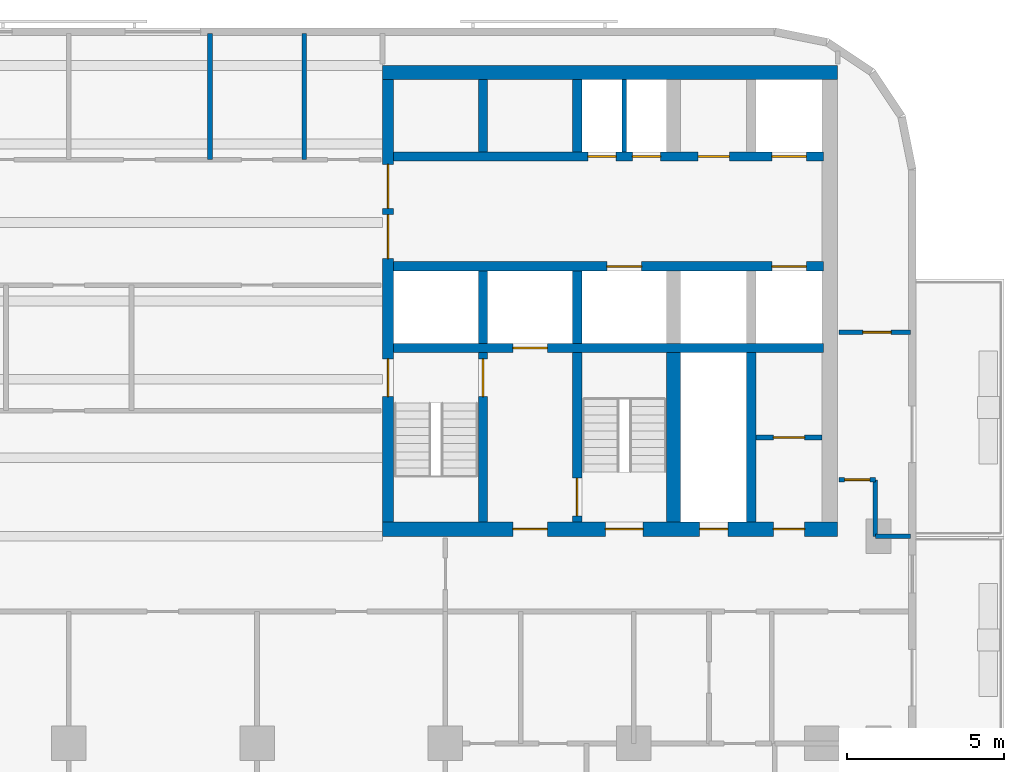
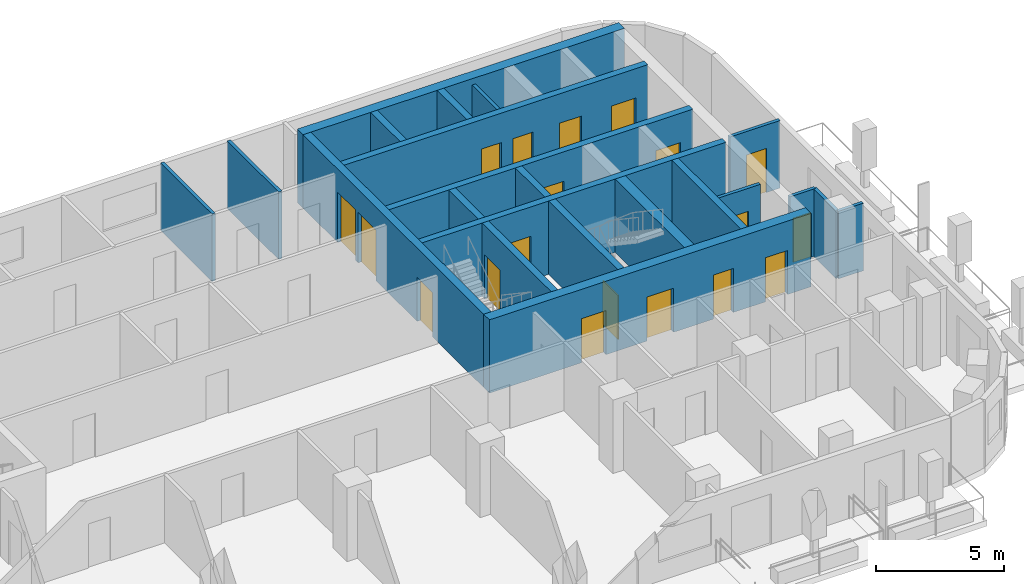
# One storey, part 6 of 11: 22 walls, 19 doors, 19 openings.
"""IFC4 building model written with IfcOpenShell, lengths in metres."""

from ifc_helpers import new_model, si_unit, direction, frame, frame_2d, origin, place, context, subcontext, project, spatial, rectangle, extrude, material, layer, layer_set, type_object, element, fill, save


model = new_model("IFC4")

# Units and contexts
model_context = context("Model", 3, precision=1e-05, world=origin(), true_north=direction((0.0, 1.0)))
body_context = subcontext(model_context, "Body", "Model", "MODEL_VIEW")
ifc_project = project(units=[si_unit("LENGTHUNIT", "METRE"), si_unit("AREAUNIT", "SQUARE_METRE"), si_unit("VOLUMEUNIT", "CUBIC_METRE"), si_unit("PLANEANGLEUNIT", "RADIAN"), si_unit("MASSUNIT", "GRAM", prefix="KILO")], contexts=[model_context])

# Site, building, storey
site_placement = place(None, origin())
site = spatial("IfcSite", under=ifc_project, at=site_placement, CompositionType="ELEMENT")
building_placement = place(site_placement, origin())
building = spatial("IfcBuilding", under=site, at=building_placement, Name="Torana Hotel and Residences", CompositionType="ELEMENT")
storey_placement = place(building_placement, frame((0.0, 0.0, 243.10009765625)))
storey = spatial("IfcBuildingStorey", under=building, at=storey_placement, Name="L64", CompositionType="ELEMENT", Elevation=243.10009765625)

# Wall, openings, doors
ifc_material_1 = material(Name="Concrete C70/85", Category="concrete")
ifc_layer_1 = layer(ifc_material_1, 0.300048828125)
ifc_layer_set_1 = layer_set([ifc_layer_1], Name="CORE WALL 300 C70/85")
wall_type_1 = type_object("IfcWallType", Name="CORE WALL 300 C70/85", PredefinedType="SHEAR", material=ifc_layer_set_1)
wall_1_placement = place(storey_placement, frame((10.35009765625, -2.89990234375, 0.0), z_axis=(0.0, 0.0, 1.0), x_axis=(1.0, 0.0, 0.0)))
wall_1 = element("IfcWall", 1, at=wall_1_placement, inside=storey, type_object=wall_type_1, Name="Core wall E row-N", PredefinedType="SHEAR", context=body_context, shape_type="SweptSolid", body=[
    extrude(rectangle(XDim=13.699951171875, YDim=0.300048828125, at=frame_2d((6.85009765625, 0.0))), origin(), (0.0, 0.0, 1.0), 3.5),
])
opening_1_placement = place(wall_1_placement, frame((12.050048828125, 0.0, 0.0)))
opening_1 = element("IfcOpeningElement", 2, at=opening_1_placement, cuts=wall_1, Name="Opening LD", PredefinedType="OPENING", context=body_context, shape_type="SweptSolid", body=[
    extrude(rectangle(XDim=1.10009765625, YDim=2.10009765625, at=frame_2d((0.550048828125, 1.050048828125))), frame((0.0, 0.159912109375, 0.0), z_axis=(0.0, -1.0, 0.0), x_axis=(1.0, 0.0, 0.0)), (0.0, 0.0, 1.0), 0.320068359375),
])
opening_2_placement = place(wall_1_placement, frame((6.1875, 0.0, 0.0)))
opening_2 = element("IfcOpeningElement", 3, at=opening_2_placement, cuts=wall_1, Name="Opening L64-20", PredefinedType="OPENING", context=body_context, shape_type="SweptSolid", body=[
    extrude(rectangle(XDim=0.89990234375, YDim=2.10009765625, at=frame_2d((0.449951171875, 1.050048828125))), frame((0.0, 0.159912109375, 0.0), z_axis=(0.0, -1.0, 0.0), x_axis=(1.0, 0.0, 0.0)), (0.0, 0.0, 1.0), 0.320068359375),
])
opening_3_placement = place(wall_1_placement, frame((7.612548828125, 0.0, 0.0)))
opening_3 = element("IfcOpeningElement", 4, at=opening_3_placement, cuts=wall_1, Name="Opening L64-21", PredefinedType="OPENING", context=body_context, shape_type="SweptSolid", body=[
    extrude(rectangle(XDim=0.89990234375, YDim=2.10009765625, at=frame_2d((0.449951171875, 1.050048828125))), frame((0.0, 0.159912109375, 0.0), z_axis=(0.0, -1.0, 0.0), x_axis=(1.0, 0.0, 0.0)), (0.0, 0.0, 1.0), 0.320068359375),
])
opening_4_placement = place(wall_1_placement, frame((9.699951171875, 0.0, 0.0)))
opening_4 = element("IfcOpeningElement", 5, at=opening_4_placement, cuts=wall_1, Name="Opening L64-22", PredefinedType="OPENING", context=body_context, shape_type="SweptSolid", body=[
    extrude(rectangle(XDim=1.0, YDim=2.10009765625, at=frame_2d((0.5, 1.050048828125))), frame((0.0, 0.159912109375, 0.0), z_axis=(0.0, -1.0, 0.0), x_axis=(1.0, 0.0, 0.0)), (0.0, 0.0, 1.0), 0.320068359375),
])
ifc_material_2 = material(Name="Steel S235", Category="steel")
door_type_1 = type_object("IfcDoorType", Name="CORE ROOM FIRE DOOR D14 1000x2100", OperationType="SINGLE_SWING_LEFT", PredefinedType="DOOR", material=ifc_material_2)
door_1_placement = place(opening_4_placement, origin())
door_1 = element("IfcDoor", 6, at=door_1_placement, inside=storey, type_object=door_type_1, Name="Freed-S2 door L64", OperationType="SINGLE_SWING_RIGHT", OverallHeight=2.10009765625, OverallWidth=1.0, PredefinedType="DOOR", context=body_context, shape_type="SweptSolid", body=[
    extrude(rectangle(XDim=1.0, YDim=2.10009765625, at=frame_2d((0.5, 1.050048828125))), frame((0.0, 0.02490234375, 0.0), z_axis=(0.0, -1.0, 0.0), x_axis=(1.0, 0.0, 0.0)), (0.0, 0.0, 1.0), 0.050048828125),
])
fill(opening_4, door_1)
ifc_material_3 = material(Name="Stainless steel 316", Category="steel")
door_type_2 = type_object("IfcDoorType", Name="LIFT LANDING DOOR LD 1100x2100", OperationType="DOUBLE_DOOR_SLIDING", PredefinedType="USERDEFINED", material=ifc_material_3)
door_2_placement = place(opening_1_placement, origin())
door_2 = element("IfcDoor", 7, at=door_2_placement, inside=storey, type_object=door_type_2, Name="Lift landing door M3 L64", ObjectType="LIFT LANDING DOOR", OperationType="DOUBLE_DOOR_SLIDING", OverallHeight=2.10009765625, OverallWidth=1.10009765625, PredefinedType="USERDEFINED", context=body_context, shape_type="SweptSolid", body=[
    extrude(rectangle(XDim=1.10009765625, YDim=2.10009765625, at=frame_2d((0.550048828125, 1.050048828125))), frame((0.0, 0.02490234375, 0.0), z_axis=(0.0, -1.0, 0.0), x_axis=(1.0, 0.0, 0.0)), (0.0, 0.0, 1.0), 0.050048828125),
])
fill(opening_1, door_2)
ifc_material_4 = material(Name="Steel S235", Category="steel")
door_type_3 = type_object("IfcDoorType", Name="RISER ACCESS DOOR D5 900x2100", OperationType="SINGLE_SWING_LEFT", PredefinedType="DOOR", material=ifc_material_4)
door_3_placement = place(opening_2_placement, origin())
door_3 = element("IfcDoor", 8, at=door_3_placement, inside=storey, type_object=door_type_3, Name="N2A door L64", OperationType="SINGLE_SWING_RIGHT", OverallHeight=2.10009765625, OverallWidth=0.89990234375, PredefinedType="DOOR", context=body_context, shape_type="SweptSolid", body=[
    extrude(rectangle(XDim=0.89990234375, YDim=2.10009765625, at=frame_2d((0.449951171875, 1.050048828125))), frame((0.0, 0.02490234375, 0.0), z_axis=(0.0, -1.0, 0.0), x_axis=(1.0, 0.0, 0.0)), (0.0, 0.0, 1.0), 0.050048828125),
])
fill(opening_2, door_3)
door_4_placement = place(opening_3_placement, origin())
door_4 = element("IfcDoor", 9, at=door_4_placement, inside=storey, type_object=door_type_3, Name="N2B door L64", OperationType="SINGLE_SWING_RIGHT", OverallHeight=2.10009765625, OverallWidth=0.89990234375, PredefinedType="DOOR", context=body_context, shape_type="SweptSolid", body=[
    extrude(rectangle(XDim=0.89990234375, YDim=2.10009765625, at=frame_2d((0.449951171875, 1.050048828125))), frame((0.0, 0.02490234375, 0.0), z_axis=(0.0, -1.0, 0.0), x_axis=(1.0, 0.0, 0.0)), (0.0, 0.0, 1.0), 0.050048828125),
])
fill(opening_3, door_4)

wall_2_placement = place(storey_placement, frame((10.35009765625, -6.39990234375, 0.0), z_axis=(0.0, 0.0, 1.0), x_axis=(1.0, 0.0, 0.0)))
wall_2 = element("IfcWall", 10, at=wall_2_placement, inside=storey, type_object=wall_type_1, Name="Core wall E row-S", PredefinedType="SHEAR", context=body_context, shape_type="SweptSolid", body=[
    extrude(rectangle(XDim=13.699951171875, YDim=0.300048828125, at=frame_2d((6.85009765625, 0.0))), origin(), (0.0, 0.0, 1.0), 3.5),
])
opening_5_placement = place(wall_2_placement, frame((12.050048828125, 0.0, 0.0)))
opening_5 = element("IfcOpeningElement", 11, at=opening_5_placement, cuts=wall_2, Name="Opening LD", PredefinedType="OPENING", context=body_context, shape_type="SweptSolid", body=[
    extrude(rectangle(XDim=1.10009765625, YDim=2.10009765625, at=frame_2d((0.550048828125, 1.050048828125))), frame((0.0, 0.159912109375, 0.0), z_axis=(0.0, -1.0, 0.0), x_axis=(1.0, 0.0, 0.0)), (0.0, 0.0, 1.0), 0.320068359375),
])
opening_6_placement = place(wall_2_placement, frame((6.800048828125, 0.0, 0.0)))
opening_6 = element("IfcOpeningElement", 12, at=opening_6_placement, cuts=wall_2, Name="Opening LD", PredefinedType="OPENING", context=body_context, shape_type="SweptSolid", body=[
    extrude(rectangle(XDim=1.10009765625, YDim=2.10009765625, at=frame_2d((0.550048828125, 1.050048828125))), frame((0.0, 0.159912109375, 0.0), z_axis=(0.0, -1.0, 0.0), x_axis=(1.0, 0.0, 0.0)), (0.0, 0.0, 1.0), 0.320068359375),
])
door_5_placement = place(opening_5_placement, origin())
door_5 = element("IfcDoor", 13, at=door_5_placement, inside=storey, type_object=door_type_2, Name="Lift landing door M4 L64", ObjectType="LIFT LANDING DOOR", OperationType="DOUBLE_DOOR_SLIDING", OverallHeight=2.10009765625, OverallWidth=1.10009765625, PredefinedType="USERDEFINED", context=body_context, shape_type="SweptSolid", body=[
    extrude(rectangle(XDim=1.10009765625, YDim=2.10009765625, at=frame_2d((0.550048828125, 1.050048828125))), frame((0.0, 0.02490234375, 0.0), z_axis=(0.0, -1.0, 0.0), x_axis=(1.0, 0.0, 0.0)), (0.0, 0.0, 1.0), 0.050048828125),
])
fill(opening_5, door_5)
door_6_placement = place(opening_6_placement, origin())
door_6 = element("IfcDoor", 14, at=door_6_placement, inside=storey, type_object=door_type_2, Name="Lift landing door SV2 L64", ObjectType="LIFT LANDING DOOR", OperationType="DOUBLE_DOOR_SLIDING", OverallHeight=2.10009765625, OverallWidth=1.10009765625, PredefinedType="USERDEFINED", context=body_context, shape_type="SweptSolid", body=[
    extrude(rectangle(XDim=1.10009765625, YDim=2.10009765625, at=frame_2d((0.550048828125, 1.050048828125))), frame((0.0, 0.02490234375, 0.0), z_axis=(0.0, -1.0, 0.0), x_axis=(1.0, 0.0, 0.0)), (0.0, 0.0, 1.0), 0.050048828125),
])
fill(opening_6, door_6)

# Wall, opening, door
wall_3_placement = place(storey_placement, frame((10.35009765625, -9.0, 0.0), z_axis=(0.0, 0.0, 1.0), x_axis=(1.0, 0.0, 0.0)))
wall_3 = element("IfcWall", 15, at=wall_3_placement, inside=storey, type_object=wall_type_1, Name="Core wall E band", PredefinedType="SHEAR", context=body_context, shape_type="SweptSolid", body=[
    extrude(rectangle(XDim=13.699951171875, YDim=0.300048828125, at=frame_2d((6.85009765625, 0.0))), origin(), (0.0, 0.0, 1.0), 3.5),
])
opening_7_placement = place(wall_3_placement, frame((3.800048828125, 0.0, 0.0)))
opening_7 = element("IfcOpeningElement", 16, at=opening_7_placement, cuts=wall_3, Name="Opening LD", PredefinedType="OPENING", context=body_context, shape_type="SweptSolid", body=[
    extrude(rectangle(XDim=1.10009765625, YDim=2.10009765625, at=frame_2d((0.550048828125, 1.050048828125))), frame((0.0, 0.159912109375, 0.0), z_axis=(0.0, -1.0, 0.0), x_axis=(1.0, 0.0, 0.0)), (0.0, 0.0, 1.0), 0.320068359375),
])
door_7_placement = place(opening_7_placement, origin())
door_7 = element("IfcDoor", 17, at=door_7_placement, inside=storey, type_object=door_type_2, Name="Lift landing door FF2 L64", ObjectType="LIFT LANDING DOOR", OperationType="DOUBLE_DOOR_SLIDING", OverallHeight=2.10009765625, OverallWidth=1.10009765625, PredefinedType="USERDEFINED", context=body_context, shape_type="SweptSolid", body=[
    extrude(rectangle(XDim=1.10009765625, YDim=2.10009765625, at=frame_2d((0.550048828125, 1.050048828125))), frame((0.0, 0.02490234375, 0.0), z_axis=(0.0, -1.0, 0.0), x_axis=(1.0, 0.0, 0.0)), (0.0, 0.0, 1.0), 0.050048828125),
])
fill(opening_7, door_7)

# Walls
for number, where, z_axis, x_axis, name in (
    (18, (13.199951171875, -2.75, 0.0), (0.0, 0.0, 1.0), (0.0, 1.0, 0.0), "Core wall E x3.05-N"),
    (19, (13.199951171875, -8.85009765625, 0.0), (0.0, 0.0, 1.0), (0.0, 1.0, 0.0), "Core wall E x3.05-S"),
):
    element("IfcWall", number, at=place(storey_placement, frame(where, z_axis=z_axis, x_axis=x_axis)), inside=storey, type_object=wall_type_1, Name=name, PredefinedType="SHEAR", context=body_context, shape_type="SweptSolid", body=[
        extrude(rectangle(XDim=2.300048828125, YDim=0.300048828125, at=frame_2d((1.14990234375, 0.0))), origin(), (0.0, 0.0, 1.0), 3.5),
    ])

# Wall, opening, door
wall_4_placement = place(storey_placement, frame((13.199951171875, -14.550048828125, 0.0), z_axis=(0.0, 0.0, 1.0), x_axis=(0.0, 1.0, 0.0)))
wall_4 = element("IfcWall", 20, at=wall_4_placement, inside=storey, type_object=wall_type_1, Name="Core wall E x3.05-band", PredefinedType="SHEAR", context=body_context, shape_type="SweptSolid", body=[
    extrude(rectangle(XDim=5.400146484375, YDim=0.300048828125, at=frame_2d((2.7001953125, 0.0))), origin(), (0.0, 0.0, 1.0), 3.5),
])
opening_8_placement = place(wall_4_placement, frame((4.0, 0.0, 0.0)))
opening_8 = element("IfcOpeningElement", 21, at=opening_8_placement, cuts=wall_4, Name="Opening L64-23", PredefinedType="OPENING", context=body_context, shape_type="SweptSolid", body=[
    extrude(rectangle(XDim=1.199951171875, YDim=2.10009765625, at=frame_2d((0.60009765625, 1.050048828125))), frame((0.0, 0.159912109375, 0.0), z_axis=(0.0, -1.0, 0.0), x_axis=(1.0, 0.0, 0.0)), (0.0, 0.0, 1.0), 0.320068359375),
])
ifc_material_5 = material(Name="Steel S235", Category="steel")
door_type_4 = type_object("IfcDoorType", Name="STAIR FIRE DOOR D3 1200x2100", OperationType="SINGLE_SWING_LEFT", PredefinedType="DOOR", material=ifc_material_5)
door_8_placement = place(opening_8_placement, origin())
door_8 = element("IfcDoor", 22, at=door_8_placement, inside=storey, type_object=door_type_4, Name="Stair-A-lobby door L64", OperationType="SINGLE_SWING_LEFT", OverallHeight=2.10009765625, OverallWidth=1.199951171875, PredefinedType="DOOR", context=body_context, shape_type="SweptSolid", body=[
    extrude(rectangle(XDim=1.199951171875, YDim=2.10009765625, at=frame_2d((0.60009765625, 1.050048828125))), frame((0.0, 0.02490234375, 0.0), z_axis=(0.0, -1.0, 0.0), x_axis=(1.0, 0.0, 0.0)), (0.0, 0.0, 1.0), 0.050048828125),
])
fill(opening_8, door_8)

# Walls
for number, where, z_axis, x_axis, name in (
    (23, (16.199951171875, -2.75, 0.0), (0.0, 0.0, 1.0), (0.0, 1.0, 0.0), "Core wall E x6.05-N"),
    (24, (16.199951171875, -8.85009765625, 0.0), (0.0, 0.0, 1.0), (0.0, 1.0, 0.0), "Core wall E x6.05-S"),
):
    element("IfcWall", number, at=place(storey_placement, frame(where, z_axis=z_axis, x_axis=x_axis)), inside=storey, type_object=wall_type_1, Name=name, PredefinedType="SHEAR", context=body_context, shape_type="SweptSolid", body=[
        extrude(rectangle(XDim=2.300048828125, YDim=0.300048828125, at=frame_2d((1.14990234375, 0.0))), origin(), (0.0, 0.0, 1.0), 3.5),
    ])

# Wall, opening, door
wall_5_placement = place(storey_placement, frame((16.199951171875, -14.550048828125, 0.0), z_axis=(0.0, 0.0, 1.0), x_axis=(0.0, 1.0, 0.0)))
wall_5 = element("IfcWall", 25, at=wall_5_placement, inside=storey, type_object=wall_type_1, Name="Core wall E x6.05-band", PredefinedType="SHEAR", context=body_context, shape_type="SweptSolid", body=[
    extrude(rectangle(XDim=5.400146484375, YDim=0.300048828125, at=frame_2d((2.7001953125, 0.0))), origin(), (0.0, 0.0, 1.0), 3.5),
])
opening_9_placement = place(wall_5_placement, frame((0.199951171875, 0.0, 0.0)))
opening_9 = element("IfcOpeningElement", 26, at=opening_9_placement, cuts=wall_5, Name="Opening L64-24", PredefinedType="OPENING", context=body_context, shape_type="SweptSolid", body=[
    extrude(rectangle(XDim=1.199951171875, YDim=2.10009765625, at=frame_2d((0.60009765625, 1.050048828125))), frame((0.0, 0.159912109375, 0.0), z_axis=(0.0, -1.0, 0.0), x_axis=(1.0, 0.0, 0.0)), (0.0, 0.0, 1.0), 0.320068359375),
])
door_9_placement = place(opening_9_placement, frame((0.60009765625, 0.0, 0.0), z_axis=(0.0, 0.0, 1.0), x_axis=(-1.0, 0.0, 0.0)))
door_9 = element("IfcDoor", 27, at=door_9_placement, inside=storey, type_object=door_type_4, Name="Stair-B-lobby door L64", OperationType="SINGLE_SWING_LEFT", OverallHeight=2.10009765625, OverallWidth=1.199951171875, PredefinedType="DOOR", context=body_context, shape_type="SweptSolid", body=[
    extrude(rectangle(XDim=1.199951171875, YDim=2.10009765625, at=frame_2d((0.0, 1.050048828125))), frame((0.0, -0.02490234375, 0.0), z_axis=(0.0, 1.0, 0.0), x_axis=(-1.0, 0.0, 0.0)), (0.0, 0.0, 1.0), 0.050048828125),
])
fill(opening_9, door_9)

# Wall
wall_6_placement = place(storey_placement, frame((21.75, -14.550048828125, 0.0), z_axis=(0.0, 0.0, 1.0), x_axis=(0.0, 1.0, 0.0)))
element("IfcWall", 28, at=wall_6_placement, inside=storey, type_object=wall_type_1, Name="Core wall E mm-band", PredefinedType="SHEAR", context=body_context, shape_type="SweptSolid", body=[
    extrude(rectangle(XDim=5.400146484375, YDim=0.300048828125, at=frame_2d((2.7001953125, 0.0))), origin(), (0.0, 0.0, 1.0), 3.5),
])

# Wall, openings, doors
ifc_material_6 = material(Name="Concrete C70/85", Category="concrete")
ifc_layer_2 = layer(ifc_material_6, 0.35009765625)
ifc_layer_set_2 = layer_set([ifc_layer_2], Name="CORE WALL 350 C70/85")
wall_type_2 = type_object("IfcWallType", Name="CORE WALL 350 C70/85", PredefinedType="SHEAR", material=ifc_layer_set_2)
wall_7_placement = place(storey_placement, frame((10.175048828125, -14.550048828125, 0.0), z_axis=(0.0, 0.0, 1.0), x_axis=(0.0, 1.0, 0.0)))
wall_7 = element("IfcWall", 29, at=wall_7_placement, inside=storey, type_object=wall_type_2, Name="Core wall E arch", PredefinedType="SHEAR", context=body_context, shape_type="SweptSolid", body=[
    extrude(rectangle(XDim=14.10009765625, YDim=0.35009765625, at=frame_2d((7.050048828125, 0.0))), origin(), (0.0, 0.0, 1.0), 3.5),
])
opening_10_placement = place(wall_7_placement, frame((8.39990234375, 0.0, 0.0)))
opening_10 = element("IfcOpeningElement", 30, at=opening_10_placement, cuts=wall_7, Name="Opening L64-13", PredefinedType="OPENING", context=body_context, shape_type="SweptSolid", body=[
    extrude(rectangle(XDim=1.39990234375, YDim=2.39990234375, at=frame_2d((0.699951171875, 1.199951171875))), frame((0.0, 0.18505859375, 0.0), z_axis=(0.0, -1.0, 0.0), x_axis=(1.0, 0.0, 0.0)), (0.0, 0.0, 1.0), 0.3701171875),
])
opening_11_placement = place(wall_7_placement, frame((10.0, 0.0, 0.0)))
opening_11 = element("IfcOpeningElement", 31, at=opening_11_placement, cuts=wall_7, Name="Opening L64-14", PredefinedType="OPENING", context=body_context, shape_type="SweptSolid", body=[
    extrude(rectangle(XDim=1.39990234375, YDim=2.39990234375, at=frame_2d((0.699951171875, 1.199951171875))), frame((0.0, 0.18505859375, 0.0), z_axis=(0.0, -1.0, 0.0), x_axis=(1.0, 0.0, 0.0)), (0.0, 0.0, 1.0), 0.3701171875),
])
opening_12_placement = place(wall_7_placement, frame((4.0, 0.0, 0.0)))
opening_12 = element("IfcOpeningElement", 32, at=opening_12_placement, cuts=wall_7, Name="Opening L64-15", PredefinedType="OPENING", context=body_context, shape_type="SweptSolid", body=[
    extrude(rectangle(XDim=1.199951171875, YDim=2.10009765625, at=frame_2d((0.60009765625, 1.050048828125))), frame((0.0, 0.18505859375, 0.0), z_axis=(0.0, -1.0, 0.0), x_axis=(1.0, 0.0, 0.0)), (0.0, 0.0, 1.0), 0.3701171875),
])
ifc_material_7 = material(Name="Steel S235", Category="steel")
door_type_5 = type_object("IfcDoorType", Name="LOBBY FIRE DOOR D4 1400x2400", OperationType="DOUBLE_DOOR_SINGLE_SWING", PredefinedType="DOOR", material=ifc_material_7)
door_10_placement = place(opening_10_placement, origin())
door_10 = element("IfcDoor", 33, at=door_10_placement, inside=storey, type_object=door_type_5, Name="Lobby-1 door L64", OperationType="DOUBLE_DOOR_SINGLE_SWING", OverallHeight=2.39990234375, OverallWidth=1.39990234375, PredefinedType="DOOR", context=body_context, shape_type="SweptSolid", body=[
    extrude(rectangle(XDim=1.39990234375, YDim=2.39990234375, at=frame_2d((0.699951171875, 1.199951171875))), frame((0.0, 0.02490234375, 0.0), z_axis=(0.0, -1.0, 0.0), x_axis=(1.0, 0.0, 0.0)), (0.0, 0.0, 1.0), 0.050048828125),
])
fill(opening_10, door_10)
door_11_placement = place(opening_11_placement, origin())
door_11 = element("IfcDoor", 34, at=door_11_placement, inside=storey, type_object=door_type_5, Name="Lobby-2 door L64", OperationType="DOUBLE_DOOR_SINGLE_SWING", OverallHeight=2.39990234375, OverallWidth=1.39990234375, PredefinedType="DOOR", context=body_context, shape_type="SweptSolid", body=[
    extrude(rectangle(XDim=1.39990234375, YDim=2.39990234375, at=frame_2d((0.699951171875, 1.199951171875))), frame((0.0, 0.02490234375, 0.0), z_axis=(0.0, -1.0, 0.0), x_axis=(1.0, 0.0, 0.0)), (0.0, 0.0, 1.0), 0.050048828125),
])
fill(opening_11, door_11)
door_12_placement = place(opening_12_placement, frame((0.60009765625, 0.0, 0.0), z_axis=(0.0, 0.0, 1.0), x_axis=(-1.0, 0.0, 0.0)))
door_12 = element("IfcDoor", 35, at=door_12_placement, inside=storey, type_object=door_type_4, Name="Stair-A door L64", OperationType="SINGLE_SWING_RIGHT", OverallHeight=2.10009765625, OverallWidth=1.199951171875, PredefinedType="DOOR", context=body_context, shape_type="SweptSolid", body=[
    extrude(rectangle(XDim=1.199951171875, YDim=2.10009765625, at=frame_2d((0.0, 1.050048828125))), frame((0.0, -0.02490234375, 0.0), z_axis=(0.0, 1.0, 0.0), x_axis=(-1.0, 0.0, 0.0)), (0.0, 0.0, 1.0), 0.050048828125),
])
fill(opening_12, door_12)

# Wall
ifc_material_8 = material(Name="Concrete C70/85", Category="concrete")
ifc_layer_3 = layer(ifc_material_8, 0.449951171875)
ifc_layer_set_3 = layer_set([ifc_layer_3], Name="CORE WALL 450 C70/85")
wall_type_3 = type_object("IfcWallType", Name="CORE WALL 450 C70/85", PredefinedType="SHEAR", material=ifc_layer_set_3)
wall_8_placement = place(storey_placement, frame((10.0, -0.22509765625, 0.0), z_axis=(0.0, 0.0, 1.0), x_axis=(1.0, 0.0, 0.0)))
element("IfcWall", 36, at=wall_8_placement, inside=storey, type_object=wall_type_3, Name="Core wall E rear", PredefinedType="SHEAR", context=body_context, shape_type="SweptSolid", body=[
    extrude(rectangle(XDim=14.5, YDim=0.449951171875, at=frame_2d((7.25, 0.0))), origin(), (0.0, 0.0, 1.0), 3.5),
])

# Wall, openings, doors
wall_9_placement = place(storey_placement, frame((10.0, -14.77490234375, 0.0), z_axis=(0.0, 0.0, 1.0), x_axis=(1.0, 0.0, 0.0)))
wall_9 = element("IfcWall", 37, at=wall_9_placement, inside=storey, type_object=wall_type_3, Name="Core wall E front", PredefinedType="SHEAR", context=body_context, shape_type="SweptSolid", body=[
    extrude(rectangle(XDim=14.5, YDim=0.449951171875, at=frame_2d((7.25, 0.0))), origin(), (0.0, 0.0, 1.0), 3.5),
])
opening_13_placement = place(wall_9_placement, frame((7.10009765625, 0.0, 0.0)))
opening_13 = element("IfcOpeningElement", 38, at=opening_13_placement, cuts=wall_9, Name="Opening L64-16", PredefinedType="OPENING", context=body_context, shape_type="SweptSolid", body=[
    extrude(rectangle(XDim=1.199951171875, YDim=2.10009765625, at=frame_2d((0.60009765625, 1.050048828125))), frame((0.0, 0.23486328125, 0.0), z_axis=(0.0, -1.0, 0.0), x_axis=(1.0, 0.0, 0.0)), (0.0, 0.0, 1.0), 0.469970703125),
])
opening_14_placement = place(wall_9_placement, frame((4.14990234375, 0.0, 0.0)))
opening_14 = element("IfcOpeningElement", 39, at=opening_14_placement, cuts=wall_9, Name="Opening L64-17", PredefinedType="OPENING", context=body_context, shape_type="SweptSolid", body=[
    extrude(rectangle(XDim=1.10009765625, YDim=2.10009765625, at=frame_2d((0.550048828125, 1.050048828125))), frame((0.0, 0.23486328125, 0.0), z_axis=(0.0, -1.0, 0.0), x_axis=(1.0, 0.0, 0.0)), (0.0, 0.0, 1.0), 0.469970703125),
])
opening_15_placement = place(wall_9_placement, frame((10.10009765625, 0.0, 0.0)))
opening_15 = element("IfcOpeningElement", 40, at=opening_15_placement, cuts=wall_9, Name="Opening L64-18", PredefinedType="OPENING", context=body_context, shape_type="SweptSolid", body=[
    extrude(rectangle(XDim=0.89990234375, YDim=2.10009765625, at=frame_2d((0.449951171875, 1.050048828125))), frame((0.0, 0.23486328125, 0.0), z_axis=(0.0, -1.0, 0.0), x_axis=(1.0, 0.0, 0.0)), (0.0, 0.0, 1.0), 0.469970703125),
])
opening_16_placement = place(wall_9_placement, frame((12.449951171875, 0.0, 0.0)))
opening_16 = element("IfcOpeningElement", 41, at=opening_16_placement, cuts=wall_9, Name="Opening L64-19", PredefinedType="OPENING", context=body_context, shape_type="SweptSolid", body=[
    extrude(rectangle(XDim=1.0, YDim=2.10009765625, at=frame_2d((0.5, 1.050048828125))), frame((0.0, 0.23486328125, 0.0), z_axis=(0.0, -1.0, 0.0), x_axis=(1.0, 0.0, 0.0)), (0.0, 0.0, 1.0), 0.469970703125),
])
door_13_placement = place(opening_16_placement, origin())
door_13 = element("IfcDoor", 42, at=door_13_placement, inside=storey, type_object=door_type_1, Name="M-Room-B door L64", OperationType="SINGLE_SWING_RIGHT", OverallHeight=2.10009765625, OverallWidth=1.0, PredefinedType="DOOR", context=body_context, shape_type="SweptSolid", body=[
    extrude(rectangle(XDim=1.0, YDim=2.10009765625, at=frame_2d((0.5, 1.050048828125))), frame((0.0, 0.02490234375, 0.0), z_axis=(0.0, -1.0, 0.0), x_axis=(1.0, 0.0, 0.0)), (0.0, 0.0, 1.0), 0.050048828125),
])
fill(opening_16, door_13)
ifc_material_9 = material(Name="Steel S235", Category="steel")
door_type_6 = type_object("IfcDoorType", Name="FIRE-FIGHTING LOBBY DOOR D8 1100x2100", OperationType="SINGLE_SWING_LEFT", PredefinedType="DOOR", material=ifc_material_9)
door_14_placement = place(opening_14_placement, origin())
door_14 = element("IfcDoor", 43, at=door_14_placement, inside=storey, type_object=door_type_6, Name="FF-lobby door L64", OperationType="SINGLE_SWING_RIGHT", OverallHeight=2.10009765625, OverallWidth=1.10009765625, PredefinedType="DOOR", context=body_context, shape_type="SweptSolid", body=[
    extrude(rectangle(XDim=1.10009765625, YDim=2.10009765625, at=frame_2d((0.550048828125, 1.050048828125))), frame((0.0, 0.02490234375, 0.0), z_axis=(0.0, -1.0, 0.0), x_axis=(1.0, 0.0, 0.0)), (0.0, 0.0, 1.0), 0.050048828125),
])
fill(opening_14, door_14)
door_15_placement = place(opening_15_placement, origin())
door_15 = element("IfcDoor", 44, at=door_15_placement, inside=storey, type_object=door_type_3, Name="M-Riser door L64", OperationType="SINGLE_SWING_RIGHT", OverallHeight=2.10009765625, OverallWidth=0.89990234375, PredefinedType="DOOR", context=body_context, shape_type="SweptSolid", body=[
    extrude(rectangle(XDim=0.89990234375, YDim=2.10009765625, at=frame_2d((0.449951171875, 1.050048828125))), frame((0.0, 0.02490234375, 0.0), z_axis=(0.0, -1.0, 0.0), x_axis=(1.0, 0.0, 0.0)), (0.0, 0.0, 1.0), 0.050048828125),
])
fill(opening_15, door_15)
door_16_placement = place(opening_13_placement, origin())
door_16 = element("IfcDoor", 45, at=door_16_placement, inside=storey, type_object=door_type_4, Name="Stair-B door L64", OperationType="SINGLE_SWING_RIGHT", OverallHeight=2.10009765625, OverallWidth=1.199951171875, PredefinedType="DOOR", context=body_context, shape_type="SweptSolid", body=[
    extrude(rectangle(XDim=1.199951171875, YDim=2.10009765625, at=frame_2d((0.60009765625, 1.050048828125))), frame((0.0, 0.02490234375, 0.0), z_axis=(0.0, -1.0, 0.0), x_axis=(1.0, 0.0, 0.0)), (0.0, 0.0, 1.0), 0.050048828125),
])
fill(opening_13, door_16)

# Walls
wall_10_placement = place(storey_placement, frame((19.27490234375, -14.550048828125, 0.0), z_axis=(0.0, 0.0, 1.0), x_axis=(0.0, 1.0, 0.0)))
element("IfcWall", 46, at=wall_10_placement, inside=storey, type_object=wall_type_3, Name="Core wall E hm-band", PredefinedType="SHEAR", context=body_context, shape_type="SweptSolid", body=[
    extrude(rectangle(XDim=5.400146484375, YDim=0.449951171875, at=frame_2d((2.7001953125, 0.0))), origin(), (0.0, 0.0, 1.0), 3.5),
])
ifc_material_10 = material(Name="Gypsum plaster")
ifc_layer_4 = layer(ifc_material_10, 0.014892578125, Name="Plaster", Category="finish")
ifc_material_11 = material(Name="Concrete blockwork", Category="masonry")
ifc_layer_5 = layer(ifc_material_11, 0.1201171875, Name="Blockwork", Category="structure")
ifc_layer_6 = layer(ifc_material_10, 0.014892578125, Name="Plaster", Category="finish")
ifc_layer_set_4 = layer_set([ifc_layer_4, ifc_layer_5, ifc_layer_6], Name="FIRE PARTITION 150 BLOCKWORK")
wall_type_4 = type_object("IfcWallType", Name="FIRE PARTITION 150 BLOCKWORK", PredefinedType="PARTITIONING", material=ifc_layer_set_4)
wall_11_placement = place(storey_placement, frame((17.699951171875, -2.75, 0.0), z_axis=(0.0, 0.0, 1.0), x_axis=(0.0, 1.0, 0.0)))
element("IfcWall", 47, at=wall_11_placement, inside=storey, type_object=wall_type_4, Name="Core partition L64", PredefinedType="PARTITIONING", context=body_context, shape_type="SweptSolid", body=[
    extrude(rectangle(XDim=2.300048828125, YDim=0.14990234375, at=frame_2d((1.14990234375, 0.0))), origin(), (0.0, 0.0, 1.0), 3.199951171875),
])

# Wall, opening, door
wall_12_placement = place(storey_placement, frame((21.89990234375, -11.85009765625, 0.0), z_axis=(0.0, 0.0, 1.0), x_axis=(1.0, 0.0, 0.0)))
wall_12 = element("IfcWall", 48, at=wall_12_placement, inside=storey, type_object=wall_type_4, Name="Core partition L64", PredefinedType="PARTITIONING", context=body_context, shape_type="SweptSolid", body=[
    extrude(rectangle(XDim=2.10009765625, YDim=0.14990234375, at=frame_2d((1.050048828125, 0.0))), origin(), (0.0, 0.0, 1.0), 3.199951171875),
])
opening_17_placement = place(wall_12_placement, frame((0.550048828125, 0.0, 0.0)))
opening_17 = element("IfcOpeningElement", 49, at=opening_17_placement, cuts=wall_12, Name="Opening L64-26", PredefinedType="OPENING", context=body_context, shape_type="SweptSolid", body=[
    extrude(rectangle(XDim=1.0, YDim=2.10009765625, at=frame_2d((0.5, 1.050048828125))), frame((0.0, 0.0849609375, 0.0), z_axis=(0.0, -1.0, 0.0), x_axis=(1.0, 0.0, 0.0)), (0.0, 0.0, 1.0), 0.169921875),
])
door_17_placement = place(opening_17_placement, origin())
door_17 = element("IfcDoor", 50, at=door_17_placement, inside=storey, type_object=door_type_1, Name="Plant room door L64", OperationType="SINGLE_SWING_RIGHT", OverallHeight=2.10009765625, OverallWidth=1.0, PredefinedType="DOOR", context=body_context, shape_type="SweptSolid", body=[
    extrude(rectangle(XDim=1.0, YDim=2.10009765625, at=frame_2d((0.5, 1.050048828125))), frame((0.0, 0.02490234375, 0.0), z_axis=(0.0, -1.0, 0.0), x_axis=(1.0, 0.0, 0.0)), (0.0, 0.0, 1.0), 0.050048828125),
])
fill(opening_17, door_17)

# Walls
wall_13_placement = place(storey_placement, frame((25.699951171875, -15.0, 0.0), z_axis=(0.0, 0.0, 1.0), x_axis=(0.0, 1.0, 0.0)))
element("IfcWall", 51, at=wall_13_placement, inside=storey, type_object=wall_type_4, Name="Partition L64", PredefinedType="PARTITIONING", context=body_context, shape_type="SweptSolid", body=[
    extrude(rectangle(XDim=1.800048828125, YDim=0.14990234375, at=frame_2d((0.89990234375, 0.0))), origin(), (0.0, 0.0, 1.0), 3.219970703125),
])
wall_14_placement = place(storey_placement, frame((25.699951171875, -15.0, 0.0), z_axis=(0.0, 0.0, 1.0), x_axis=(1.0, 0.0, 0.0)))
element("IfcWall", 52, at=wall_14_placement, inside=storey, type_object=wall_type_4, Name="Partition L64", PredefinedType="PARTITIONING", context=body_context, shape_type="SweptSolid", body=[
    extrude(rectangle(XDim=1.1201171875, YDim=0.14990234375, at=frame_2d((0.56005859375, 0.0))), origin(), (0.0, 0.0, 1.0), 3.219970703125),
])

# Wall, opening, door
wall_15_placement = place(storey_placement, frame((24.550048828125, -13.199951171875, 0.0), z_axis=(0.0, 0.0, 1.0), x_axis=(1.0, 0.0, 0.0)))
wall_15 = element("IfcWall", 53, at=wall_15_placement, inside=storey, type_object=wall_type_4, Name="Partition L64", PredefinedType="PARTITIONING", context=body_context, shape_type="SweptSolid", body=[
    extrude(rectangle(XDim=1.14990234375, YDim=0.14990234375, at=frame_2d((0.574951171875, 0.0))), origin(), (0.0, 0.0, 1.0), 3.219970703125),
])
opening_18_placement = place(wall_15_placement, frame((0.175048828125, 0.0, 0.0)))
opening_18 = element("IfcOpeningElement", 54, at=opening_18_placement, cuts=wall_15, Name="Opening L64-35", PredefinedType="OPENING", context=body_context, shape_type="SweptSolid", body=[
    extrude(rectangle(XDim=0.800048828125, YDim=2.10009765625, at=frame_2d((0.39990234375, 1.050048828125))), frame((0.0, 0.0849609375, 0.0), z_axis=(0.0, -1.0, 0.0), x_axis=(1.0, 0.0, 0.0)), (0.0, 0.0, 1.0), 0.169921875),
])
ifc_material_12 = material(Name="Steel S235", Category="steel")
door_type_7 = type_object("IfcDoorType", Name="STORE FIRE DOOR D16 800x2100", OperationType="SINGLE_SWING_LEFT", PredefinedType="DOOR", material=ifc_material_12)
door_18_placement = place(opening_18_placement, origin())
door_18 = element("IfcDoor", 55, at=door_18_placement, inside=storey, type_object=door_type_7, Name="Door L64", OperationType="SINGLE_SWING_RIGHT", OverallHeight=2.10009765625, OverallWidth=0.800048828125, PredefinedType="DOOR", context=body_context, shape_type="SweptSolid", body=[
    extrude(rectangle(XDim=0.800048828125, YDim=2.10009765625, at=frame_2d((0.39990234375, 1.050048828125))), frame((0.0, 0.02490234375, 0.0), z_axis=(0.0, -1.0, 0.0), x_axis=(1.0, 0.0, 0.0)), (0.0, 0.0, 1.0), 0.050048828125),
])
fill(opening_18, door_18)

# Walls
ifc_material_13 = material(Name="Ceramic tile on adhesive")
ifc_layer_7 = layer(ifc_material_13, 0.010009765625, Name="Wall tile", Category="finish")
ifc_material_14 = material(Name="Cement render")
ifc_layer_8 = layer(ifc_material_14, 0.010009765625, Name="Render", Category="finish")
ifc_layer_9 = layer(ifc_material_11, 0.110107421875, Name="Blockwork", Category="structure")
ifc_layer_10 = layer(ifc_material_14, 0.010009765625, Name="Render", Category="finish")
ifc_layer_11 = layer(ifc_material_13, 0.010009765625, Name="Wall tile", Category="finish")
ifc_layer_set_5 = layer_set([ifc_layer_7, ifc_layer_8, ifc_layer_9, ifc_layer_10, ifc_layer_11], Name="WC PARTITION 150")
wall_type_5 = type_object("IfcWallType", Name="WC PARTITION 150", PredefinedType="PLUMBINGWALL", material=ifc_layer_set_5)
for number, where, z_axis, x_axis, name in (
    (56, (7.5, -3.0, 0.0), (0.0, 0.0, 1.0), (0.0, 1.0, 0.0), "Partition L64"),
    (57, (4.5, -3.0, 0.0), (0.0, 0.0, 1.0), (0.0, 1.0, 0.0), "Partition L64"),
):
    element("IfcWall", number, at=place(storey_placement, frame(where, z_axis=z_axis, x_axis=x_axis)), inside=storey, type_object=wall_type_5, Name=name, PredefinedType="PLUMBINGWALL", context=body_context, shape_type="SweptSolid", body=[
        extrude(rectangle(XDim=4.02001953125, YDim=0.14990234375, at=frame_2d((2.010009765625, 0.0))), origin(), (0.0, 0.0, 1.0), 3.219970703125),
    ])

# Wall, opening, door
wall_16_placement = place(storey_placement, frame((24.550048828125, -8.5, 0.0), z_axis=(0.0, 0.0, 1.0), x_axis=(1.0, 0.0, 0.0)))
wall_16 = element("IfcWall", 58, at=wall_16_placement, inside=storey, type_object=wall_type_5, Name="Partition L64", PredefinedType="PLUMBINGWALL", context=body_context, shape_type="SweptSolid", body=[
    extrude(rectangle(XDim=2.27001953125, YDim=0.14990234375, at=frame_2d((1.135009765625, 0.0))), origin(), (0.0, 0.0, 1.0), 3.219970703125),
])
opening_19_placement = place(wall_16_placement, frame((0.75, 0.0, 0.0)))
opening_19 = element("IfcOpeningElement", 59, at=opening_19_placement, cuts=wall_16, Name="Opening L64-63", PredefinedType="OPENING", context=body_context, shape_type="SweptSolid", body=[
    extrude(rectangle(XDim=0.89990234375, YDim=2.10009765625, at=frame_2d((0.449951171875, 1.050048828125))), frame((0.0, 0.0849609375, 0.0), z_axis=(0.0, -1.0, 0.0), x_axis=(1.0, 0.0, 0.0)), (0.0, 0.0, 1.0), 0.169921875),
])
ifc_material_15 = material(Name="Timber door, oiled ash", Category="wood")
door_type_8 = type_object("IfcDoorType", Name="ROOM DOOR D7 900x2100", OperationType="SINGLE_SWING_LEFT", PredefinedType="DOOR", material=ifc_material_15)
door_19_placement = place(opening_19_placement, origin())
door_19 = element("IfcDoor", 60, at=door_19_placement, inside=storey, type_object=door_type_8, Name="Door L64", OperationType="SINGLE_SWING_LEFT", OverallHeight=2.10009765625, OverallWidth=0.89990234375, PredefinedType="DOOR", context=body_context, shape_type="SweptSolid", body=[
    extrude(rectangle(XDim=0.89990234375, YDim=2.10009765625, at=frame_2d((0.449951171875, 1.050048828125))), frame((0.0, 0.02490234375, 0.0), z_axis=(0.0, -1.0, 0.0), x_axis=(1.0, 0.0, 0.0)), (0.0, 0.0, 1.0), 0.050048828125),
])
fill(opening_19, door_19)

save(model, "model.ifc")
